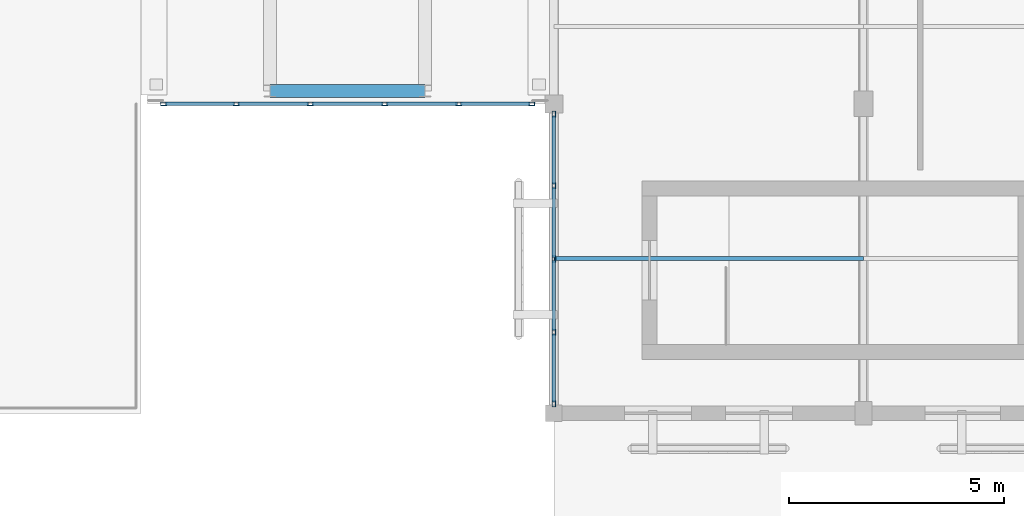
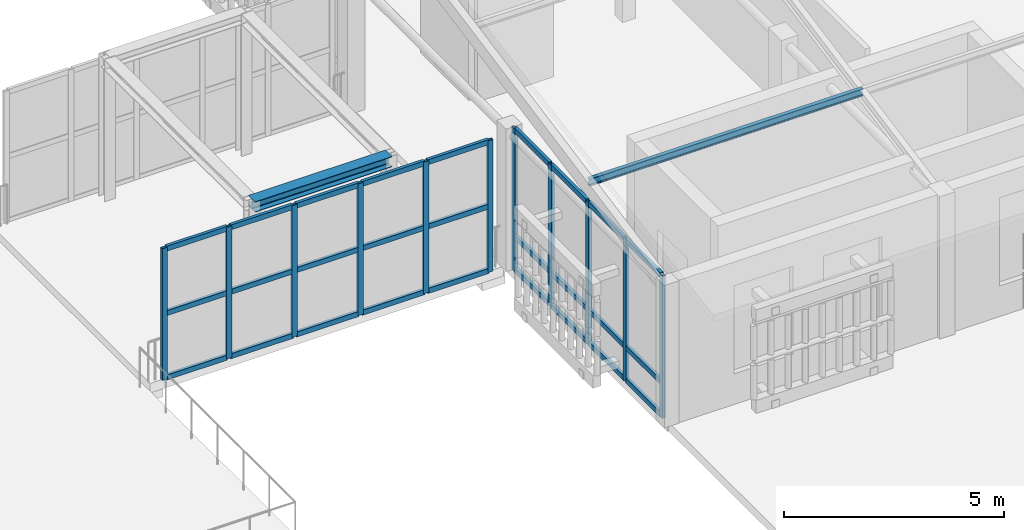
# One storey, part 40 of 112: 39 members, 1 beam, 2 elements without a shape of their own.
"""IFC4 building model written with IfcOpenShell, lengths in metres."""

from ifc_helpers import new_model, si_unit, direction, frame, origin, origin_2d, place, context, subcontext, project, spatial, hollow_rectangle, i_section, extrude, material, layer, layer_set, material_profile, profile_set, type_object, element, aggregate, save


model = new_model("IFC4")

# Units and contexts
model_context = context("Model", 3, precision=1e-05, world=origin(), true_north=direction((0.0, 1.0)))
body_context = subcontext(model_context, "Body", "Model", "MODEL_VIEW")
ifc_project = project(units=[si_unit("LENGTHUNIT", "METRE"), si_unit("AREAUNIT", "SQUARE_METRE"), si_unit("VOLUMEUNIT", "CUBIC_METRE"), si_unit("PLANEANGLEUNIT", "RADIAN"), si_unit("MASSUNIT", "GRAM", prefix="KILO")], contexts=[model_context])

# Site, building, storey
site_placement = place(None, origin())
site = spatial("IfcSite", under=ifc_project, at=site_placement, CompositionType="ELEMENT")
building_placement = place(site_placement, origin())
building = spatial("IfcBuilding", under=site, at=building_placement, Name="Mazaris Harbour Polytechnic", CompositionType="ELEMENT")
storey_placement = place(building_placement, frame((0.0, 0.0, 13.800048828125)))
storey = spatial("IfcBuildingStorey", under=building, at=storey_placement, Name="L03", CompositionType="ELEMENT", Elevation=13.800048828125)

# Curtain wall, members
ifc_material_1 = material(Name="Anodised Bronze Aluminium and Low-E Glass", Category="aluminium")
ifc_layer_1 = layer(ifc_material_1, 0.159912109375, Name="Anodised Bronze Aluminium and Low-E Glass")
ifc_layer_set_1 = layer_set([ifc_layer_1], Name="Anodised Bronze Aluminium and Low-E Glass")
curtain_wall_type_1 = type_object("IfcCurtainWallType", Name="Cloister Court Curtain Wall", PredefinedType="NOTDEFINED", material=ifc_layer_set_1)
curtain_wall_1_placement = place(storey_placement, origin())
curtain_wall_1 = element("IfcCurtainWall", 1, at=curtain_wall_1_placement, inside=storey, type_object=curtain_wall_type_1, Name="V2 L03 Curtain Wall 58", PredefinedType="NOTDEFINED")
ifc_material_2 = material(Name="Anodised Bronze Steel S355", Category="steel")
ifc_material_profile_1 = material_profile(ifc_material_2, hollow_rectangle(XDim=0.080078125, YDim=0.139892578125, WallThickness=0.00634765625, at=origin_2d()), Name="RHS 80x140x6.3")
ifc_profile_set_1 = profile_set([ifc_material_profile_1], Name="Anodised Bronze Steel S355")
member_type_1 = type_object("IfcMemberType", Name="Curtain Mullion RHS80x140", PredefinedType="MULLION", material=ifc_profile_set_1)
member_1_placement = place(storey_placement, frame((122.39990234375, 14.6220703125, 0.0), z_axis=(0.0, 0.0, 1.0), x_axis=(-1.0, 0.0, 0.0)))
member_1 = element("IfcMember", 2, at=member_1_placement, type_object=member_type_1, Name="CW-02 mullion 1", PredefinedType="MULLION", context=body_context, shape_type="SweptSolid", body=[
    extrude(hollow_rectangle(XDim=0.080078125, YDim=0.139892578125, WallThickness=0.00634765625, at=origin_2d()), origin(), (0.0, 0.0, 1.0), 3.9599609375),
])
member_2_placement = place(storey_placement, frame((122.39990234375, 16.285888671875, 0.0), z_axis=(0.0, 0.0, 1.0), x_axis=(-1.0, 0.0, 0.0)))
member_2 = element("IfcMember", 3, at=member_2_placement, type_object=member_type_1, Name="CW-02 mullion 2", PredefinedType="MULLION", context=body_context, shape_type="SweptSolid", body=[
    extrude(hollow_rectangle(XDim=0.080078125, YDim=0.139892578125, WallThickness=0.00634765625, at=origin_2d()), origin(), (0.0, 0.0, 1.0), 3.9599609375),
])
member_3_placement = place(storey_placement, frame((122.39990234375, 17.989990234375, 0.0), z_axis=(0.0, 0.0, 1.0), x_axis=(-1.0, 0.0, 0.0)))
member_3 = element("IfcMember", 4, at=member_3_placement, type_object=member_type_1, Name="CW-02 mullion 3", PredefinedType="MULLION", context=body_context, shape_type="SweptSolid", body=[
    extrude(hollow_rectangle(XDim=0.080078125, YDim=0.139892578125, WallThickness=0.00634765625, at=origin_2d()), origin(), (0.0, 0.0, 1.0), 3.9599609375),
])
member_4_placement = place(storey_placement, frame((122.39990234375, 19.694091796875, 0.0), z_axis=(0.0, 0.0, 1.0), x_axis=(-1.0, 0.0, 0.0)))
member_4 = element("IfcMember", 5, at=member_4_placement, type_object=member_type_1, Name="CW-02 mullion 4", PredefinedType="MULLION", context=body_context, shape_type="SweptSolid", body=[
    extrude(hollow_rectangle(XDim=0.080078125, YDim=0.139892578125, WallThickness=0.00634765625, at=origin_2d()), origin(), (0.0, 0.0, 1.0), 3.9599609375),
])
member_5_placement = place(storey_placement, frame((122.39990234375, 21.35791015625, 0.0), z_axis=(0.0, 0.0, 1.0), x_axis=(-1.0, 0.0, 0.0)))
member_5 = element("IfcMember", 6, at=member_5_placement, type_object=member_type_1, Name="CW-02 mullion 5", PredefinedType="MULLION", context=body_context, shape_type="SweptSolid", body=[
    extrude(hollow_rectangle(XDim=0.080078125, YDim=0.139892578125, WallThickness=0.00634765625, at=origin_2d()), origin(), (0.0, 0.0, 1.0), 3.9599609375),
])

ifc_material_3 = material(Name="Anodised Bronze Aluminium and Low-E Glass", Category="aluminium")
ifc_layer_2 = layer(ifc_material_3, 0.139892578125, Name="Anodised Bronze Aluminium and Low-E Glass")
ifc_layer_set_2 = layer_set([ifc_layer_2], Name="Anodised Bronze Aluminium and Low-E Glass")
curtain_wall_type_2 = type_object("IfcCurtainWallType", Name="Seismic Link Bridge Glazing", PredefinedType="NOTDEFINED", material=ifc_layer_set_2)
curtain_wall_2_placement = place(storey_placement, origin())
curtain_wall_2 = element("IfcCurtainWall", 7, at=curtain_wall_2_placement, inside=storey, type_object=curtain_wall_type_2, Name="PB-E1 L03 Bridge Glazing", PredefinedType="NOTDEFINED")
member_6_placement = place(storey_placement, frame((113.320068359375, 21.60009765625, 0.0), z_axis=(0.0, 0.0, 1.0), x_axis=(0.0, 1.0, 0.0)))
member_6 = element("IfcMember", 8, at=member_6_placement, type_object=member_type_1, Name="CW-05 mullion 1", PredefinedType="MULLION", context=body_context, shape_type="SweptSolid", body=[
    extrude(hollow_rectangle(XDim=0.080078125, YDim=0.139892578125, WallThickness=0.00634765625, at=origin_2d()), origin(), (0.0, 0.0, 1.0), 3.659912109375),
])
member_7_placement = place(storey_placement, frame((115.008056640625, 21.60009765625, 0.0), z_axis=(0.0, 0.0, 1.0), x_axis=(0.0, 1.0, 0.0)))
member_7 = element("IfcMember", 9, at=member_7_placement, type_object=member_type_1, Name="CW-05 mullion 2", PredefinedType="MULLION", context=body_context, shape_type="SweptSolid", body=[
    extrude(hollow_rectangle(XDim=0.080078125, YDim=0.139892578125, WallThickness=0.00634765625, at=origin_2d()), origin(), (0.0, 0.0, 1.0), 3.659912109375),
])
member_8_placement = place(storey_placement, frame((116.736083984375, 21.60009765625, 0.0), z_axis=(0.0, 0.0, 1.0), x_axis=(0.0, 1.0, 0.0)))
member_8 = element("IfcMember", 10, at=member_8_placement, type_object=member_type_1, Name="CW-05 mullion 3", PredefinedType="MULLION", context=body_context, shape_type="SweptSolid", body=[
    extrude(hollow_rectangle(XDim=0.080078125, YDim=0.139892578125, WallThickness=0.00634765625, at=origin_2d()), origin(), (0.0, 0.0, 1.0), 3.659912109375),
])
member_9_placement = place(storey_placement, frame((118.464111328125, 21.60009765625, 0.0), z_axis=(0.0, 0.0, 1.0), x_axis=(0.0, 1.0, 0.0)))
member_9 = element("IfcMember", 11, at=member_9_placement, type_object=member_type_1, Name="CW-05 mullion 4", PredefinedType="MULLION", context=body_context, shape_type="SweptSolid", body=[
    extrude(hollow_rectangle(XDim=0.080078125, YDim=0.139892578125, WallThickness=0.00634765625, at=origin_2d()), origin(), (0.0, 0.0, 1.0), 3.659912109375),
])
member_10_placement = place(storey_placement, frame((120.19189453125, 21.60009765625, 0.0), z_axis=(0.0, 0.0, 1.0), x_axis=(0.0, 1.0, 0.0)))
member_10 = element("IfcMember", 12, at=member_10_placement, type_object=member_type_1, Name="CW-05 mullion 5", PredefinedType="MULLION", context=body_context, shape_type="SweptSolid", body=[
    extrude(hollow_rectangle(XDim=0.080078125, YDim=0.139892578125, WallThickness=0.00634765625, at=origin_2d()), origin(), (0.0, 0.0, 1.0), 3.659912109375),
])
member_11_placement = place(storey_placement, frame((121.8798828125, 21.60009765625, 0.0), z_axis=(0.0, 0.0, 1.0), x_axis=(0.0, 1.0, 0.0)))
member_11 = element("IfcMember", 13, at=member_11_placement, type_object=member_type_1, Name="CW-05 mullion 6", PredefinedType="MULLION", context=body_context, shape_type="SweptSolid", body=[
    extrude(hollow_rectangle(XDim=0.080078125, YDim=0.139892578125, WallThickness=0.00634765625, at=origin_2d()), origin(), (0.0, 0.0, 1.0), 3.659912109375),
])

# Member
ifc_material_4 = material(Name="Anodised Bronze Steel S355", Category="steel")
ifc_material_profile_2 = material_profile(ifc_material_4, hollow_rectangle(XDim=0.080078125, YDim=0.139892578125, WallThickness=0.00634765625, at=origin_2d()), Name="RHS 80x140x6.3")
ifc_profile_set_2 = profile_set([ifc_material_profile_2], Name="Anodised Bronze Steel S355")
member_type_2 = type_object("IfcMemberType", Name="Curtain Transom RHS80x140", PredefinedType="USERDEFINED", material=ifc_profile_set_2)
member_12_placement = place(storey_placement, frame((122.39990234375, 14.662109375, 0.0400390625), z_axis=(0.0, 1.0, 0.0), x_axis=(-1.0, 0.0, 0.0)))
member_12 = element("IfcMember", 14, at=member_12_placement, type_object=member_type_2, Name="CW-02 transom 1.1", ObjectType="TRANSOM", PredefinedType="USERDEFINED", context=body_context, shape_type="SweptSolid", body=[
    extrude(hollow_rectangle(XDim=0.080078125, YDim=0.139892578125, WallThickness=0.00634765625, at=origin_2d()), origin(), (0.0, 0.0, 1.0), 1.583984375),
])

member_13_placement = place(storey_placement, frame((122.39990234375, 14.662109375, 0.949951171875), z_axis=(0.0, 1.0, 0.0), x_axis=(-1.0, 0.0, 0.0)))
member_13 = element("IfcMember", 15, at=member_13_placement, type_object=member_type_2, Name="CW-02 transom 1.2", ObjectType="TRANSOM", PredefinedType="USERDEFINED", context=body_context, shape_type="SweptSolid", body=[
    extrude(hollow_rectangle(XDim=0.080078125, YDim=0.139892578125, WallThickness=0.00634765625, at=origin_2d()), origin(), (0.0, 0.0, 1.0), 1.583984375),
])

member_14_placement = place(storey_placement, frame((122.39990234375, 14.662109375, 3.919921875), z_axis=(0.0, 1.0, 0.0), x_axis=(-1.0, 0.0, 0.0)))
member_14 = element("IfcMember", 16, at=member_14_placement, type_object=member_type_2, Name="CW-02 transom 1.3", ObjectType="TRANSOM", PredefinedType="USERDEFINED", context=body_context, shape_type="SweptSolid", body=[
    extrude(hollow_rectangle(XDim=0.080078125, YDim=0.139892578125, WallThickness=0.00634765625, at=origin_2d()), origin(), (0.0, 0.0, 1.0), 1.583984375),
])

member_15_placement = place(storey_placement, frame((122.39990234375, 16.325927734375, 0.0400390625), z_axis=(0.0, 1.0, 0.0), x_axis=(-1.0, 0.0, 0.0)))
member_15 = element("IfcMember", 17, at=member_15_placement, type_object=member_type_2, Name="CW-02 transom 2.1", ObjectType="TRANSOM", PredefinedType="USERDEFINED", context=body_context, shape_type="SweptSolid", body=[
    extrude(hollow_rectangle(XDim=0.080078125, YDim=0.139892578125, WallThickness=0.00634765625, at=origin_2d()), origin(), (0.0, 0.0, 1.0), 1.6240234375),
])

member_16_placement = place(storey_placement, frame((122.39990234375, 16.325927734375, 0.949951171875), z_axis=(0.0, 1.0, 0.0), x_axis=(-1.0, 0.0, 0.0)))
member_16 = element("IfcMember", 18, at=member_16_placement, type_object=member_type_2, Name="CW-02 transom 2.2", ObjectType="TRANSOM", PredefinedType="USERDEFINED", context=body_context, shape_type="SweptSolid", body=[
    extrude(hollow_rectangle(XDim=0.080078125, YDim=0.139892578125, WallThickness=0.00634765625, at=origin_2d()), origin(), (0.0, 0.0, 1.0), 1.6240234375),
])

member_17_placement = place(storey_placement, frame((122.39990234375, 16.325927734375, 3.919921875), z_axis=(0.0, 1.0, 0.0), x_axis=(-1.0, 0.0, 0.0)))
member_17 = element("IfcMember", 19, at=member_17_placement, type_object=member_type_2, Name="CW-02 transom 2.3", ObjectType="TRANSOM", PredefinedType="USERDEFINED", context=body_context, shape_type="SweptSolid", body=[
    extrude(hollow_rectangle(XDim=0.080078125, YDim=0.139892578125, WallThickness=0.00634765625, at=origin_2d()), origin(), (0.0, 0.0, 1.0), 1.6240234375),
])

member_18_placement = place(storey_placement, frame((122.39990234375, 18.030029296875, 0.0400390625), z_axis=(0.0, 1.0, 0.0), x_axis=(-1.0, 0.0, 0.0)))
member_18 = element("IfcMember", 20, at=member_18_placement, type_object=member_type_2, Name="CW-02 transom 3.1", ObjectType="TRANSOM", PredefinedType="USERDEFINED", context=body_context, shape_type="SweptSolid", body=[
    extrude(hollow_rectangle(XDim=0.080078125, YDim=0.139892578125, WallThickness=0.00634765625, at=origin_2d()), origin(), (0.0, 0.0, 1.0), 1.6240234375),
])

member_19_placement = place(storey_placement, frame((122.39990234375, 18.030029296875, 0.949951171875), z_axis=(0.0, 1.0, 0.0), x_axis=(-1.0, 0.0, 0.0)))
member_19 = element("IfcMember", 21, at=member_19_placement, type_object=member_type_2, Name="CW-02 transom 3.2", ObjectType="TRANSOM", PredefinedType="USERDEFINED", context=body_context, shape_type="SweptSolid", body=[
    extrude(hollow_rectangle(XDim=0.080078125, YDim=0.139892578125, WallThickness=0.00634765625, at=origin_2d()), origin(), (0.0, 0.0, 1.0), 1.6240234375),
])

member_20_placement = place(storey_placement, frame((122.39990234375, 18.030029296875, 3.919921875), z_axis=(0.0, 1.0, 0.0), x_axis=(-1.0, 0.0, 0.0)))
member_20 = element("IfcMember", 22, at=member_20_placement, type_object=member_type_2, Name="CW-02 transom 3.3", ObjectType="TRANSOM", PredefinedType="USERDEFINED", context=body_context, shape_type="SweptSolid", body=[
    extrude(hollow_rectangle(XDim=0.080078125, YDim=0.139892578125, WallThickness=0.00634765625, at=origin_2d()), origin(), (0.0, 0.0, 1.0), 1.6240234375),
])

member_21_placement = place(storey_placement, frame((122.39990234375, 19.73388671875, 0.0400390625), z_axis=(0.0, 1.0, 0.0), x_axis=(-1.0, 0.0, 0.0)))
member_21 = element("IfcMember", 23, at=member_21_placement, type_object=member_type_2, Name="CW-02 transom 4.1", ObjectType="TRANSOM", PredefinedType="USERDEFINED", context=body_context, shape_type="SweptSolid", body=[
    extrude(hollow_rectangle(XDim=0.080078125, YDim=0.139892578125, WallThickness=0.00634765625, at=origin_2d()), origin(), (0.0, 0.0, 1.0), 1.584228515625),
])

member_22_placement = place(storey_placement, frame((122.39990234375, 19.73388671875, 0.949951171875), z_axis=(0.0, 1.0, 0.0), x_axis=(-1.0, 0.0, 0.0)))
member_22 = element("IfcMember", 24, at=member_22_placement, type_object=member_type_2, Name="CW-02 transom 4.2", ObjectType="TRANSOM", PredefinedType="USERDEFINED", context=body_context, shape_type="SweptSolid", body=[
    extrude(hollow_rectangle(XDim=0.080078125, YDim=0.139892578125, WallThickness=0.00634765625, at=origin_2d()), origin(), (0.0, 0.0, 1.0), 1.584228515625),
])

member_23_placement = place(storey_placement, frame((122.39990234375, 19.73388671875, 3.919921875), z_axis=(0.0, 1.0, 0.0), x_axis=(-1.0, 0.0, 0.0)))
member_23 = element("IfcMember", 25, at=member_23_placement, type_object=member_type_2, Name="CW-02 transom 4.3", ObjectType="TRANSOM", PredefinedType="USERDEFINED", context=body_context, shape_type="SweptSolid", body=[
    extrude(hollow_rectangle(XDim=0.080078125, YDim=0.139892578125, WallThickness=0.00634765625, at=origin_2d()), origin(), (0.0, 0.0, 1.0), 1.584228515625),
])

aggregate(curtain_wall_1, [member_1, member_2, member_3, member_4, member_5, member_12, member_13, member_14, member_15, member_16, member_17, member_18, member_19, member_20, member_21, member_22, member_23])

member_24_placement = place(storey_placement, frame((113.360107421875, 21.60009765625, 0.0400390625), z_axis=(1.0, 0.0, 0.0), x_axis=(0.0, 1.0, 0.0)))
member_24 = element("IfcMember", 26, at=member_24_placement, type_object=member_type_2, Name="CW-05 transom 1.1", ObjectType="TRANSOM", PredefinedType="USERDEFINED", context=body_context, shape_type="SweptSolid", body=[
    extrude(hollow_rectangle(XDim=0.080078125, YDim=0.139892578125, WallThickness=0.00634765625, at=origin_2d()), origin(), (0.0, 0.0, 1.0), 1.60791015625),
])

member_25_placement = place(storey_placement, frame((113.360107421875, 21.60009765625, 1.829833984375), z_axis=(1.0, 0.0, 0.0), x_axis=(0.0, 1.0, 0.0)))
member_25 = element("IfcMember", 27, at=member_25_placement, type_object=member_type_2, Name="CW-05 transom 1.2", ObjectType="TRANSOM", PredefinedType="USERDEFINED", context=body_context, shape_type="SweptSolid", body=[
    extrude(hollow_rectangle(XDim=0.080078125, YDim=0.139892578125, WallThickness=0.00634765625, at=origin_2d()), origin(), (0.0, 0.0, 1.0), 1.60791015625),
])

member_26_placement = place(storey_placement, frame((113.360107421875, 21.60009765625, 3.619873046875), z_axis=(1.0, 0.0, 0.0), x_axis=(0.0, 1.0, 0.0)))
member_26 = element("IfcMember", 28, at=member_26_placement, type_object=member_type_2, Name="CW-05 transom 1.3", ObjectType="TRANSOM", PredefinedType="USERDEFINED", context=body_context, shape_type="SweptSolid", body=[
    extrude(hollow_rectangle(XDim=0.080078125, YDim=0.139892578125, WallThickness=0.00634765625, at=origin_2d()), origin(), (0.0, 0.0, 1.0), 1.60791015625),
])

member_27_placement = place(storey_placement, frame((115.048095703125, 21.60009765625, 0.0400390625), z_axis=(1.0, 0.0, 0.0), x_axis=(0.0, 1.0, 0.0)))
member_27 = element("IfcMember", 29, at=member_27_placement, type_object=member_type_2, Name="CW-05 transom 2.1", ObjectType="TRANSOM", PredefinedType="USERDEFINED", context=body_context, shape_type="SweptSolid", body=[
    extrude(hollow_rectangle(XDim=0.080078125, YDim=0.139892578125, WallThickness=0.00634765625, at=origin_2d()), origin(), (0.0, 0.0, 1.0), 1.64794921875),
])

member_28_placement = place(storey_placement, frame((115.048095703125, 21.60009765625, 1.829833984375), z_axis=(1.0, 0.0, 0.0), x_axis=(0.0, 1.0, 0.0)))
member_28 = element("IfcMember", 30, at=member_28_placement, type_object=member_type_2, Name="CW-05 transom 2.2", ObjectType="TRANSOM", PredefinedType="USERDEFINED", context=body_context, shape_type="SweptSolid", body=[
    extrude(hollow_rectangle(XDim=0.080078125, YDim=0.139892578125, WallThickness=0.00634765625, at=origin_2d()), origin(), (0.0, 0.0, 1.0), 1.64794921875),
])

member_29_placement = place(storey_placement, frame((115.048095703125, 21.60009765625, 3.619873046875), z_axis=(1.0, 0.0, 0.0), x_axis=(0.0, 1.0, 0.0)))
member_29 = element("IfcMember", 31, at=member_29_placement, type_object=member_type_2, Name="CW-05 transom 2.3", ObjectType="TRANSOM", PredefinedType="USERDEFINED", context=body_context, shape_type="SweptSolid", body=[
    extrude(hollow_rectangle(XDim=0.080078125, YDim=0.139892578125, WallThickness=0.00634765625, at=origin_2d()), origin(), (0.0, 0.0, 1.0), 1.64794921875),
])

member_30_placement = place(storey_placement, frame((116.77587890625, 21.60009765625, 0.0400390625), z_axis=(1.0, 0.0, 0.0), x_axis=(0.0, 1.0, 0.0)))
member_30 = element("IfcMember", 32, at=member_30_placement, type_object=member_type_2, Name="CW-05 transom 3.1", ObjectType="TRANSOM", PredefinedType="USERDEFINED", context=body_context, shape_type="SweptSolid", body=[
    extrude(hollow_rectangle(XDim=0.080078125, YDim=0.139892578125, WallThickness=0.00634765625, at=origin_2d()), origin(), (0.0, 0.0, 1.0), 1.648193359375),
])

member_31_placement = place(storey_placement, frame((116.77587890625, 21.60009765625, 1.829833984375), z_axis=(1.0, 0.0, 0.0), x_axis=(0.0, 1.0, 0.0)))
member_31 = element("IfcMember", 33, at=member_31_placement, type_object=member_type_2, Name="CW-05 transom 3.2", ObjectType="TRANSOM", PredefinedType="USERDEFINED", context=body_context, shape_type="SweptSolid", body=[
    extrude(hollow_rectangle(XDim=0.080078125, YDim=0.139892578125, WallThickness=0.00634765625, at=origin_2d()), origin(), (0.0, 0.0, 1.0), 1.648193359375),
])

member_32_placement = place(storey_placement, frame((116.77587890625, 21.60009765625, 3.619873046875), z_axis=(1.0, 0.0, 0.0), x_axis=(0.0, 1.0, 0.0)))
member_32 = element("IfcMember", 34, at=member_32_placement, type_object=member_type_2, Name="CW-05 transom 3.3", ObjectType="TRANSOM", PredefinedType="USERDEFINED", context=body_context, shape_type="SweptSolid", body=[
    extrude(hollow_rectangle(XDim=0.080078125, YDim=0.139892578125, WallThickness=0.00634765625, at=origin_2d()), origin(), (0.0, 0.0, 1.0), 1.648193359375),
])

member_33_placement = place(storey_placement, frame((118.50390625, 21.60009765625, 0.0400390625), z_axis=(1.0, 0.0, 0.0), x_axis=(0.0, 1.0, 0.0)))
member_33 = element("IfcMember", 35, at=member_33_placement, type_object=member_type_2, Name="CW-05 transom 4.1", ObjectType="TRANSOM", PredefinedType="USERDEFINED", context=body_context, shape_type="SweptSolid", body=[
    extrude(hollow_rectangle(XDim=0.080078125, YDim=0.139892578125, WallThickness=0.00634765625, at=origin_2d()), origin(), (0.0, 0.0, 1.0), 1.648193359375),
])

member_34_placement = place(storey_placement, frame((118.50390625, 21.60009765625, 1.829833984375), z_axis=(1.0, 0.0, 0.0), x_axis=(0.0, 1.0, 0.0)))
member_34 = element("IfcMember", 36, at=member_34_placement, type_object=member_type_2, Name="CW-05 transom 4.2", ObjectType="TRANSOM", PredefinedType="USERDEFINED", context=body_context, shape_type="SweptSolid", body=[
    extrude(hollow_rectangle(XDim=0.080078125, YDim=0.139892578125, WallThickness=0.00634765625, at=origin_2d()), origin(), (0.0, 0.0, 1.0), 1.648193359375),
])

member_35_placement = place(storey_placement, frame((118.50390625, 21.60009765625, 3.619873046875), z_axis=(1.0, 0.0, 0.0), x_axis=(0.0, 1.0, 0.0)))
member_35 = element("IfcMember", 37, at=member_35_placement, type_object=member_type_2, Name="CW-05 transom 4.3", ObjectType="TRANSOM", PredefinedType="USERDEFINED", context=body_context, shape_type="SweptSolid", body=[
    extrude(hollow_rectangle(XDim=0.080078125, YDim=0.139892578125, WallThickness=0.00634765625, at=origin_2d()), origin(), (0.0, 0.0, 1.0), 1.648193359375),
])

member_36_placement = place(storey_placement, frame((120.23193359375, 21.60009765625, 0.0400390625), z_axis=(1.0, 0.0, 0.0), x_axis=(0.0, 1.0, 0.0)))
member_36 = element("IfcMember", 38, at=member_36_placement, type_object=member_type_2, Name="CW-05 transom 5.1", ObjectType="TRANSOM", PredefinedType="USERDEFINED", context=body_context, shape_type="SweptSolid", body=[
    extrude(hollow_rectangle(XDim=0.080078125, YDim=0.139892578125, WallThickness=0.00634765625, at=origin_2d()), origin(), (0.0, 0.0, 1.0), 1.608154296875),
])

member_37_placement = place(storey_placement, frame((120.23193359375, 21.60009765625, 1.829833984375), z_axis=(1.0, 0.0, 0.0), x_axis=(0.0, 1.0, 0.0)))
member_37 = element("IfcMember", 39, at=member_37_placement, type_object=member_type_2, Name="CW-05 transom 5.2", ObjectType="TRANSOM", PredefinedType="USERDEFINED", context=body_context, shape_type="SweptSolid", body=[
    extrude(hollow_rectangle(XDim=0.080078125, YDim=0.139892578125, WallThickness=0.00634765625, at=origin_2d()), origin(), (0.0, 0.0, 1.0), 1.608154296875),
])

member_38_placement = place(storey_placement, frame((120.23193359375, 21.60009765625, 3.619873046875), z_axis=(1.0, 0.0, 0.0), x_axis=(0.0, 1.0, 0.0)))
member_38 = element("IfcMember", 40, at=member_38_placement, type_object=member_type_2, Name="CW-05 transom 5.3", ObjectType="TRANSOM", PredefinedType="USERDEFINED", context=body_context, shape_type="SweptSolid", body=[
    extrude(hollow_rectangle(XDim=0.080078125, YDim=0.139892578125, WallThickness=0.00634765625, at=origin_2d()), origin(), (0.0, 0.0, 1.0), 1.608154296875),
])

aggregate(curtain_wall_2, [member_6, member_7, member_8, member_9, member_10, member_11, member_24, member_25, member_26, member_27, member_28, member_29, member_30, member_31, member_32, member_33, member_34, member_35, member_36, member_37, member_38])

# Beam
ifc_material_5 = material(Name="Steel S355", Category="steel")
ifc_material_profile_3 = material_profile(ifc_material_5, i_section(OverallWidth=0.300048828125, OverallDepth=0.2900390625, WebThickness=0.008544921875, FlangeThickness=0.013916015625, FilletRadius=0.027099609375, at=origin_2d()), Name="HEA 300")
ifc_profile_set_3 = profile_set([ifc_material_profile_3], Name="Steel S355")
beam_type = type_object("IfcBeamType", Name="Steel Beam HEA300 Exterior", PredefinedType="SPANDREL", material=ifc_profile_set_3)
beam_placement = place(storey_placement, frame((115.800048828125, 21.89990234375, 3.81494140625), z_axis=(1.0, 0.0, 0.0), x_axis=(0.0, 1.0, 0.0)))
element("IfcBeam", 41, at=beam_placement, inside=storey, type_object=beam_type, Name="PB-E1 L03 Bridge Beam 3451", PredefinedType="SPANDREL", context=body_context, shape_type="SweptSolid", body=[
    extrude(i_section(OverallWidth=0.300048828125, OverallDepth=0.2900390625, WebThickness=0.008544921875, FlangeThickness=0.013916015625, FilletRadius=0.027099609375, at=origin_2d()), origin(), (0.0, 0.0, 1.0), 3.599853515625),
])

# Member
ifc_material_6 = material(Name="Steel S355", Category="steel")
ifc_material_profile_4 = material_profile(ifc_material_6, i_section(OverallWidth=0.10009765625, OverallDepth=0.199951171875, WebThickness=0.005615234375, FlangeThickness=0.008544921875, FilletRadius=0.011962890625, at=origin_2d()), Name="IPE 200")
ifc_profile_set_4 = profile_set([ifc_material_profile_4], Name="Steel S355")
member_type_3 = type_object("IfcMemberType", Name="Steel Purlin IPE200", PredefinedType="PURLIN", material=ifc_profile_set_4)
member_39_placement = place(storey_placement, frame((122.39990234375, 18.0, 4.47998046875), z_axis=(1.0, 0.0, 0.0), x_axis=(0.0, 1.0, 0.0)))
element("IfcMember", 42, at=member_39_placement, inside=storey, type_object=member_type_3, Name="V2 Roof Purlin 148", PredefinedType="PURLIN", context=body_context, shape_type="SweptSolid", body=[
    extrude(i_section(OverallWidth=0.10009765625, OverallDepth=0.199951171875, WebThickness=0.005615234375, FlangeThickness=0.008544921875, FilletRadius=0.011962890625, at=origin_2d()), origin(), (0.0, 0.0, 1.0), 7.2001953125),
])

save(model, "model.ifc")
